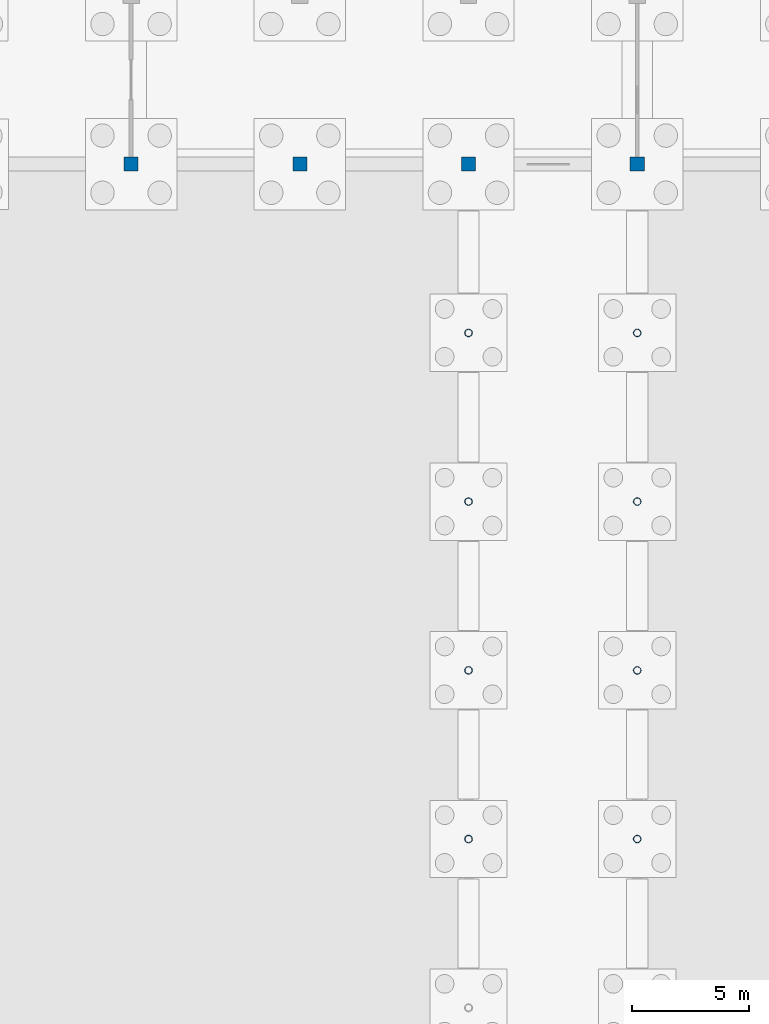
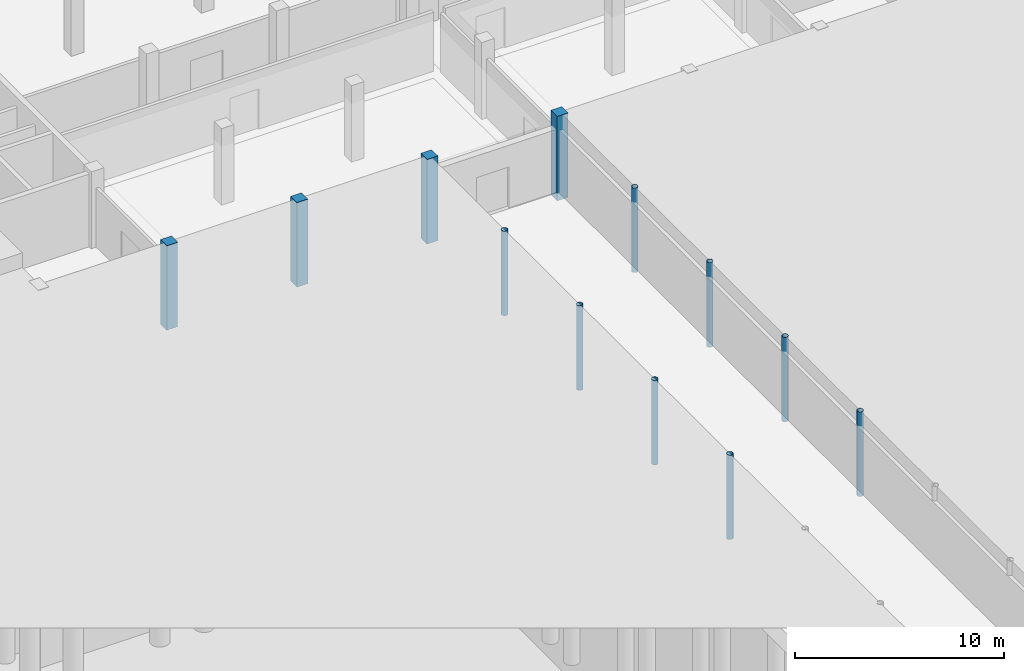
# One storey, part 21 of 51: 12 columns.
"""IFC4 building model written with IfcOpenShell, lengths in metres."""

from ifc_helpers import new_model, si_unit, direction, frame, origin, origin_2d, place, context, subcontext, project, spatial, rectangle, hollow_circle, extrude, material, material_profile, profile_set, type_object, element, save


model = new_model("IFC4")

# Units and contexts
model_context = context("Model", 3, precision=1e-05, world=origin(), true_north=direction((0.0, 1.0)))
body_context = subcontext(model_context, "Body", "Model", "MODEL_VIEW")
ifc_project = project(units=[si_unit("LENGTHUNIT", "METRE"), si_unit("AREAUNIT", "SQUARE_METRE"), si_unit("VOLUMEUNIT", "CUBIC_METRE"), si_unit("PLANEANGLEUNIT", "RADIAN"), si_unit("MASSUNIT", "GRAM", prefix="KILO")], contexts=[model_context])

# Site, building, storey
site_placement = place(None, origin())
site = spatial("IfcSite", under=ifc_project, at=site_placement, CompositionType="ELEMENT")
building_placement = place(site_placement, origin())
building = spatial("IfcBuilding", under=site, at=building_placement, Name="Zlatovets Crest Museum", CompositionType="ELEMENT")
storey_placement = place(building_placement, frame((0.0, 0.0, -4.5)))
storey = spatial("IfcBuildingStorey", under=building, at=storey_placement, Name="B1", CompositionType="ELEMENT", Elevation=-4.5)

# Columns
ifc_material_1 = material(Name="Concrete C35/45", Category="concrete")
ifc_material_profile_1 = material_profile(ifc_material_1, rectangle(XDim=0.60009765625, YDim=0.60009765625, at=origin_2d()), Name="RC 600x600")
ifc_profile_set_1 = profile_set([ifc_material_profile_1], Name="Concrete C35/45")
column_type_1 = type_object("IfcColumnType", Name="Col_C-02", PredefinedType="COLUMN", material=ifc_profile_set_1)
for number, where, z_axis, x_axis, name in (
    (1, (64.800048828125, 86.39990234375, -0.449951171875), (0.0, 0.0, 1.0), (0.0, 1.0, 0.0), "V1 B1 Column (64.8, 86.4)"),
    (2, (72.0, 86.39990234375, -0.449951171875), (0.0, 0.0, 1.0), (1.0, 0.0, 0.0), "V1 B1 Column (72.0, 86.4)"),
    (3, (79.199951171875, 86.39990234375, -0.449951171875), (0.0, 0.0, 1.0), (0.0, 1.0, 0.0), "V1 B1 Column (79.2, 86.4)"),
    (4, (86.39990234375, 86.39990234375, -0.449951171875), (0.0, 0.0, 1.0), (1.0, 0.0, 0.0), "V1 B1 Column (86.4, 86.4)"),
):
    element("IfcColumn", number, at=place(storey_placement, frame(where, z_axis=z_axis, x_axis=x_axis)), inside=storey, type_object=column_type_1, Name=name, PredefinedType="COLUMN", context=body_context, shape_type="SweptSolid", body=[
        extrude(rectangle(XDim=0.60009765625, YDim=0.60009765625, at=origin_2d()), origin(), (0.0, 0.0, 1.0), 4.949951171875),
    ])
ifc_material_2 = material(Name="Structural steel S355J2", Category="steel")
ifc_material_profile_2 = material_profile(ifc_material_2, hollow_circle(Radius=0.161865234375, WallThickness=0.012451171875, at=origin_2d()), Name="CHS 323.9x12.5")
ifc_profile_set_2 = profile_set([ifc_material_profile_2], Name="Structural steel S355J2")
column_type_2 = type_object("IfcColumnType", Name="Col_C-13", PredefinedType="COLUMN", material=ifc_profile_set_2)
for number, where, z_axis, x_axis, name in (
    (5, (79.199951171875, 57.60009765625, -0.449951171875), (0.0, 0.0, 1.0), (1.0, 0.0, 0.0), "Central Sculpture Court Cloister and Skywalk Portal Column"),
    (6, (86.39990234375, 57.60009765625, -0.449951171875), (0.0, 0.0, 1.0), (1.0, 0.0, 0.0), "Central Sculpture Court Cloister and Skywalk Portal Column"),
    (7, (79.199951171875, 64.800048828125, -0.449951171875), (0.0, 0.0, 1.0), (1.0, 0.0, 0.0), "Central Sculpture Court Cloister and Skywalk Portal Column"),
    (8, (86.39990234375, 64.800048828125, -0.449951171875), (0.0, 0.0, 1.0), (1.0, 0.0, 0.0), "Central Sculpture Court Cloister and Skywalk Portal Column"),
    (9, (79.199951171875, 72.0, -0.449951171875), (0.0, 0.0, 1.0), (1.0, 0.0, 0.0), "Central Sculpture Court Cloister and Skywalk Portal Column"),
    (10, (86.39990234375, 72.0, -0.449951171875), (0.0, 0.0, 1.0), (1.0, 0.0, 0.0), "Central Sculpture Court Cloister and Skywalk Portal Column"),
    (11, (79.199951171875, 79.199951171875, -0.449951171875), (0.0, 0.0, 1.0), (1.0, 0.0, 0.0), "Central Sculpture Court Cloister and Skywalk Portal Column"),
    (12, (86.39990234375, 79.199951171875, -0.449951171875), (0.0, 0.0, 1.0), (1.0, 0.0, 0.0), "Central Sculpture Court Cloister and Skywalk Portal Column"),
):
    element("IfcColumn", number, at=place(storey_placement, frame(where, z_axis=z_axis, x_axis=x_axis)), inside=storey, type_object=column_type_2, Name=name, PredefinedType="COLUMN", context=body_context, shape_type="SweptSolid", body=[
        extrude(hollow_circle(Radius=0.161865234375, WallThickness=0.012451171875, at=origin_2d()), origin(), (0.0, 0.0, 1.0), 4.949951171875),
    ])

save(model, "model.ifc")
